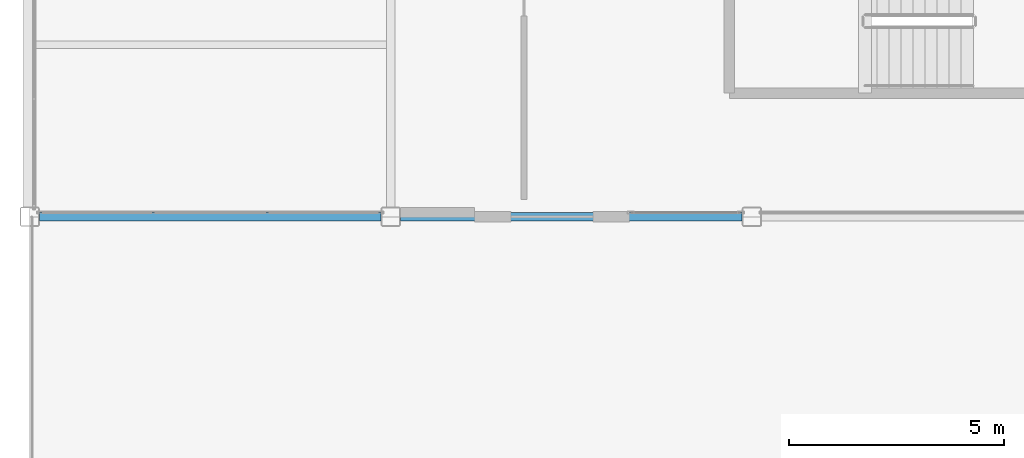
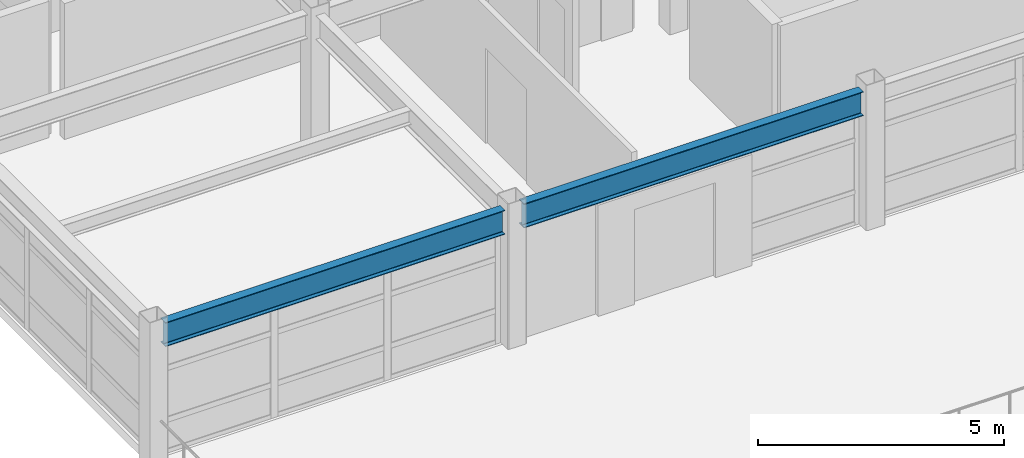
# One storey, part 3 of 28: 2 beams.
"""IFC4 building model written with IfcOpenShell, lengths in metres."""

from ifc_helpers import new_model, si_unit, direction, frame, origin, origin_2d, place, context, subcontext, project, spatial, i_section, extrude, material, material_profile, profile_set, type_object, element, save


model = new_model("IFC4")

# Units and contexts
model_context = context("Model", 3, precision=1e-05, world=origin(), true_north=direction((0.0, 1.0)))
body_context = subcontext(model_context, "Body", "Model", "MODEL_VIEW")
ifc_project = project(units=[si_unit("LENGTHUNIT", "METRE"), si_unit("AREAUNIT", "SQUARE_METRE"), si_unit("VOLUMEUNIT", "CUBIC_METRE"), si_unit("PLANEANGLEUNIT", "RADIAN"), si_unit("MASSUNIT", "GRAM", prefix="KILO")], contexts=[model_context])

# Site, building, storey
site_placement = place(None, origin())
site = spatial("IfcSite", under=ifc_project, at=site_placement, CompositionType="ELEMENT")
building_placement = place(site_placement, origin())
building = spatial("IfcBuilding", under=site, at=building_placement, Name="Kazehara Bluff Congress Hotel", CompositionType="ELEMENT")
storey_placement = place(building_placement, frame((0.0, 0.0, 42.60009765625)))
storey = spatial("IfcBuildingStorey", under=building, at=storey_placement, Name="L10", CompositionType="ELEMENT", Elevation=42.60009765625)

# Beams
ifc_material = material(Name="Steel SN490B", Category="steel")
ifc_material_profile = material_profile(ifc_material, i_section(OverallWidth=0.199951171875, OverallDepth=0.60009765625, WebThickness=0.010986328125, FlangeThickness=0.01708984375, FilletRadius=0.012939453125, at=origin_2d()))
ifc_profile_set = profile_set([ifc_material_profile], Name="Steel SN490B")
beam_type = type_object("IfcBeamType", Name="TP-G-02", PredefinedType="BEAM", material=ifc_profile_set)
for number, where, z_axis, x_axis, name in (
    (1, (143.925048828125, 16.0, 3.079833984375), (1.0, 0.0, 0.0), (0.0, 1.0, 0.0), "L10 girder G-02 25"),
    (2, (152.324951171875, 16.0, 3.079833984375), (1.0, 0.0, 0.0), (0.0, 1.0, 0.0), "L10 girder G-02 26"),
):
    element("IfcBeam", number, at=place(storey_placement, frame(where, z_axis=z_axis, x_axis=x_axis)), inside=storey, type_object=beam_type, Name=name, PredefinedType="BEAM", context=body_context, shape_type="SweptSolid", body=[
        extrude(i_section(OverallWidth=0.199951171875, OverallDepth=0.60009765625, WebThickness=0.010986328125, FlangeThickness=0.01708984375, FilletRadius=0.012939453125, at=origin_2d()), origin(), (0.0, 0.0, 1.0), 7.949951171875),
    ])

save(model, "model.ifc")
